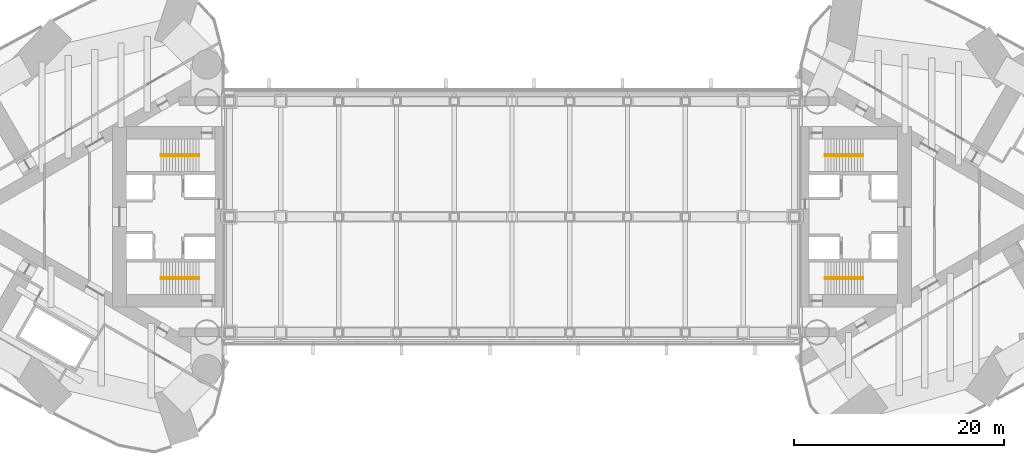
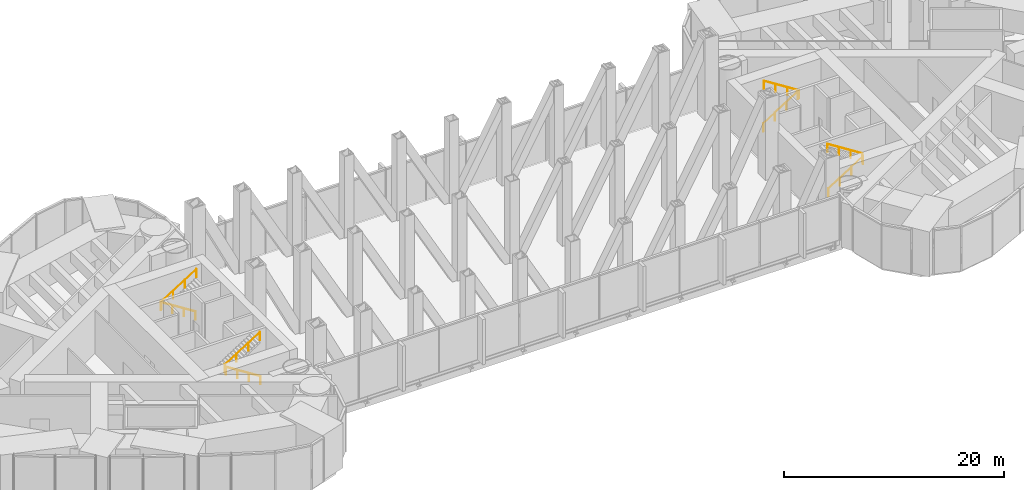
# One storey, part 21 of 21: 8 railings.
"""IFC4 building model written with IfcOpenShell, lengths in metres."""

from ifc_helpers import new_model, si_unit, direction, frame, origin, origin_2d, place, context, subcontext, project, spatial, circle, extrude, material, type_object, element, save


model = new_model("IFC4")

# Units and contexts
model_context = context("Model", 3, precision=1e-05, world=origin(), true_north=direction((0.0, 1.0)))
body_context = subcontext(model_context, "Body", "Model", "MODEL_VIEW")
ifc_project = project(units=[si_unit("LENGTHUNIT", "METRE"), si_unit("AREAUNIT", "SQUARE_METRE"), si_unit("VOLUMEUNIT", "CUBIC_METRE"), si_unit("PLANEANGLEUNIT", "RADIAN"), si_unit("MASSUNIT", "GRAM", prefix="KILO")], contexts=[model_context])

# Site, building, storey
site_placement = place(None, origin())
site = spatial("IfcSite", under=ifc_project, at=site_placement, CompositionType="ELEMENT")
building_placement = place(site_placement, origin())
building = spatial("IfcBuilding", under=site, at=building_placement, Name="Lancet Gate Hotel", CompositionType="ELEMENT")
storey_placement = place(building_placement, frame((0.0, 0.0, 205.300048828125)))
storey = spatial("IfcBuildingStorey", under=building, at=storey_placement, Name="L55", CompositionType="ELEMENT", Elevation=205.300048828125)

# Railings
ifc_material = material(Name="Stainless steel handrail", Category="steel")
railing_type = type_object("IfcRailingType", Name="Stair handrail 900", PredefinedType="HANDRAIL", material=ifc_material)
railing_1_placement = place(storey_placement, frame((-29.800048828125, 5.929931640625, 0.178466796875)))
element("IfcRailing", 1, at=railing_1_placement, inside=storey, type_object=railing_type, Name="ST1 handrail flight 1 L55", PredefinedType="HANDRAIL", context=body_context, shape_type="SweptSolid", body=[
    extrude(circle(Radius=0.02392578125, at=origin_2d()), frame((0.0, 0.0, 0.8759765625), z_axis=(-0.843111507901, 0.0, 0.53773877045), x_axis=(0.0, -1.0, 0.0)), (0.0, 0.0, 1.0), 4.317138671875),
    extrude(circle(Radius=0.02099609375, at=origin_2d()), origin(), (0.0, 0.0, 1.0), 0.851806640625),
    extrude(circle(Radius=0.02099609375, at=origin_2d()), frame((-1.21337890625, 0.0, 0.77392578125)), (0.0, 0.0, 1.0), 0.851806640625),
    extrude(circle(Radius=0.02099609375, at=origin_2d()), frame((-2.426513671875, 0.0, 1.547607421875)), (0.0, 0.0, 1.0), 0.851806640625),
    extrude(circle(Radius=0.02099609375, at=origin_2d()), frame((-3.639892578125, 0.0, 2.321533203125)), (0.0, 0.0, 1.0), 0.851806640625),
])
railing_2_placement = place(storey_placement, frame((-33.43994140625, 5.77001953125, 2.678466796875)))
element("IfcRailing", 2, at=railing_2_placement, inside=storey, type_object=railing_type, Name="ST1 handrail flight 2 L55", PredefinedType="HANDRAIL", context=body_context, shape_type="SweptSolid", body=[
    extrude(circle(Radius=0.02392578125, at=origin_2d()), frame((0.0, 0.0, 0.8759765625), z_axis=(0.843111507901, 0.0, 0.53773877045), x_axis=(0.0, 1.0, 0.0)), (0.0, 0.0, 1.0), 4.317138671875),
    extrude(circle(Radius=0.02099609375, at=origin_2d()), origin(), (0.0, 0.0, 1.0), 0.851806640625),
    extrude(circle(Radius=0.02099609375, at=origin_2d()), frame((1.21337890625, 0.0, 0.77392578125)), (0.0, 0.0, 1.0), 0.851806640625),
    extrude(circle(Radius=0.02099609375, at=origin_2d()), frame((2.426513671875, 0.0, 1.547607421875)), (0.0, 0.0, 1.0), 0.851806640625),
    extrude(circle(Radius=0.02099609375, at=origin_2d()), frame((3.639892578125, 0.0, 2.321533203125)), (0.0, 0.0, 1.0), 0.851806640625),
])
railing_3_placement = place(storey_placement, frame((-29.800048828125, -5.929931640625, 0.178466796875)))
element("IfcRailing", 3, at=railing_3_placement, inside=storey, type_object=railing_type, Name="ST2 handrail flight 1 L55", PredefinedType="HANDRAIL", context=body_context, shape_type="SweptSolid", body=[
    extrude(circle(Radius=0.02392578125, at=origin_2d()), frame((0.0, 0.0, 0.8759765625), z_axis=(-0.843111507901, 0.0, 0.53773877045), x_axis=(0.0, -1.0, 0.0)), (0.0, 0.0, 1.0), 4.317138671875),
    extrude(circle(Radius=0.02099609375, at=origin_2d()), origin(), (0.0, 0.0, 1.0), 0.851806640625),
    extrude(circle(Radius=0.02099609375, at=origin_2d()), frame((-1.21337890625, 0.0, 0.77392578125)), (0.0, 0.0, 1.0), 0.851806640625),
    extrude(circle(Radius=0.02099609375, at=origin_2d()), frame((-2.426513671875, 0.0, 1.547607421875)), (0.0, 0.0, 1.0), 0.851806640625),
    extrude(circle(Radius=0.02099609375, at=origin_2d()), frame((-3.639892578125, 0.0, 2.321533203125)), (0.0, 0.0, 1.0), 0.851806640625),
])
for number, where, name in (
    (4, (-33.43994140625, -5.77001953125, 2.678466796875), "ST2 handrail flight 2 L55"),
    (5, (29.800048828125, -5.929931640625, 0.178466796875), "ST3 handrail flight 1 L55"),
):
    element("IfcRailing", number, at=place(storey_placement, frame(where)), inside=storey, type_object=railing_type, Name=name, PredefinedType="HANDRAIL", context=body_context, shape_type="SweptSolid", body=[
        extrude(circle(Radius=0.02392578125, at=origin_2d()), frame((0.0, 0.0, 0.8759765625), z_axis=(0.843111507901, 0.0, 0.53773877045), x_axis=(0.0, 1.0, 0.0)), (0.0, 0.0, 1.0), 4.317138671875),
        extrude(circle(Radius=0.02099609375, at=origin_2d()), origin(), (0.0, 0.0, 1.0), 0.851806640625),
        extrude(circle(Radius=0.02099609375, at=origin_2d()), frame((1.21337890625, 0.0, 0.77392578125)), (0.0, 0.0, 1.0), 0.851806640625),
        extrude(circle(Radius=0.02099609375, at=origin_2d()), frame((2.426513671875, 0.0, 1.547607421875)), (0.0, 0.0, 1.0), 0.851806640625),
        extrude(circle(Radius=0.02099609375, at=origin_2d()), frame((3.639892578125, 0.0, 2.321533203125)), (0.0, 0.0, 1.0), 0.851806640625),
    ])
railing_4_placement = place(storey_placement, frame((33.43994140625, -5.77001953125, 2.678466796875)))
element("IfcRailing", 6, at=railing_4_placement, inside=storey, type_object=railing_type, Name="ST3 handrail flight 2 L55", PredefinedType="HANDRAIL", context=body_context, shape_type="SweptSolid", body=[
    extrude(circle(Radius=0.02392578125, at=origin_2d()), frame((0.0, 0.0, 0.8759765625), z_axis=(-0.843111507901, 0.0, 0.53773877045), x_axis=(0.0, -1.0, 0.0)), (0.0, 0.0, 1.0), 4.317138671875),
    extrude(circle(Radius=0.02099609375, at=origin_2d()), origin(), (0.0, 0.0, 1.0), 0.851806640625),
    extrude(circle(Radius=0.02099609375, at=origin_2d()), frame((-1.21337890625, 0.0, 0.77392578125)), (0.0, 0.0, 1.0), 0.851806640625),
    extrude(circle(Radius=0.02099609375, at=origin_2d()), frame((-2.426513671875, 0.0, 1.547607421875)), (0.0, 0.0, 1.0), 0.851806640625),
    extrude(circle(Radius=0.02099609375, at=origin_2d()), frame((-3.639892578125, 0.0, 2.321533203125)), (0.0, 0.0, 1.0), 0.851806640625),
])
railing_5_placement = place(storey_placement, frame((29.800048828125, 5.929931640625, 0.178466796875)))
element("IfcRailing", 7, at=railing_5_placement, inside=storey, type_object=railing_type, Name="ST4 handrail flight 1 L55", PredefinedType="HANDRAIL", context=body_context, shape_type="SweptSolid", body=[
    extrude(circle(Radius=0.02392578125, at=origin_2d()), frame((0.0, 0.0, 0.8759765625), z_axis=(0.843111507901, 0.0, 0.53773877045), x_axis=(0.0, 1.0, 0.0)), (0.0, 0.0, 1.0), 4.317138671875),
    extrude(circle(Radius=0.02099609375, at=origin_2d()), origin(), (0.0, 0.0, 1.0), 0.851806640625),
    extrude(circle(Radius=0.02099609375, at=origin_2d()), frame((1.21337890625, 0.0, 0.77392578125)), (0.0, 0.0, 1.0), 0.851806640625),
    extrude(circle(Radius=0.02099609375, at=origin_2d()), frame((2.426513671875, 0.0, 1.547607421875)), (0.0, 0.0, 1.0), 0.851806640625),
    extrude(circle(Radius=0.02099609375, at=origin_2d()), frame((3.639892578125, 0.0, 2.321533203125)), (0.0, 0.0, 1.0), 0.851806640625),
])
railing_6_placement = place(storey_placement, frame((33.43994140625, 5.77001953125, 2.678466796875)))
element("IfcRailing", 8, at=railing_6_placement, inside=storey, type_object=railing_type, Name="ST4 handrail flight 2 L55", PredefinedType="HANDRAIL", context=body_context, shape_type="SweptSolid", body=[
    extrude(circle(Radius=0.02392578125, at=origin_2d()), frame((0.0, 0.0, 0.8759765625), z_axis=(-0.843111507901, 0.0, 0.53773877045), x_axis=(0.0, -1.0, 0.0)), (0.0, 0.0, 1.0), 4.317138671875),
    extrude(circle(Radius=0.02099609375, at=origin_2d()), origin(), (0.0, 0.0, 1.0), 0.851806640625),
    extrude(circle(Radius=0.02099609375, at=origin_2d()), frame((-1.21337890625, 0.0, 0.77392578125)), (0.0, 0.0, 1.0), 0.851806640625),
    extrude(circle(Radius=0.02099609375, at=origin_2d()), frame((-2.426513671875, 0.0, 1.547607421875)), (0.0, 0.0, 1.0), 0.851806640625),
    extrude(circle(Radius=0.02099609375, at=origin_2d()), frame((-3.639892578125, 0.0, 2.321533203125)), (0.0, 0.0, 1.0), 0.851806640625),
])

save(model, "model.ifc")
